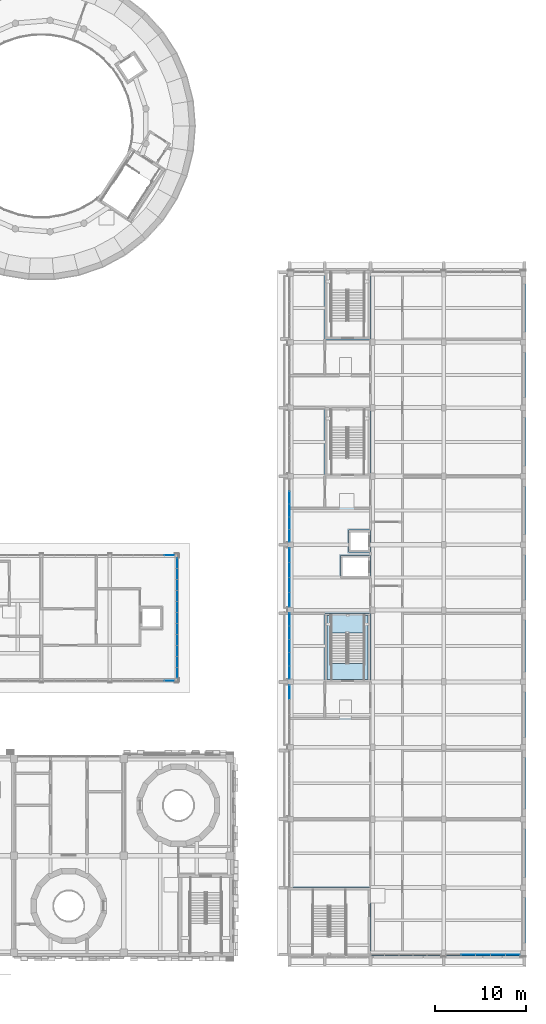
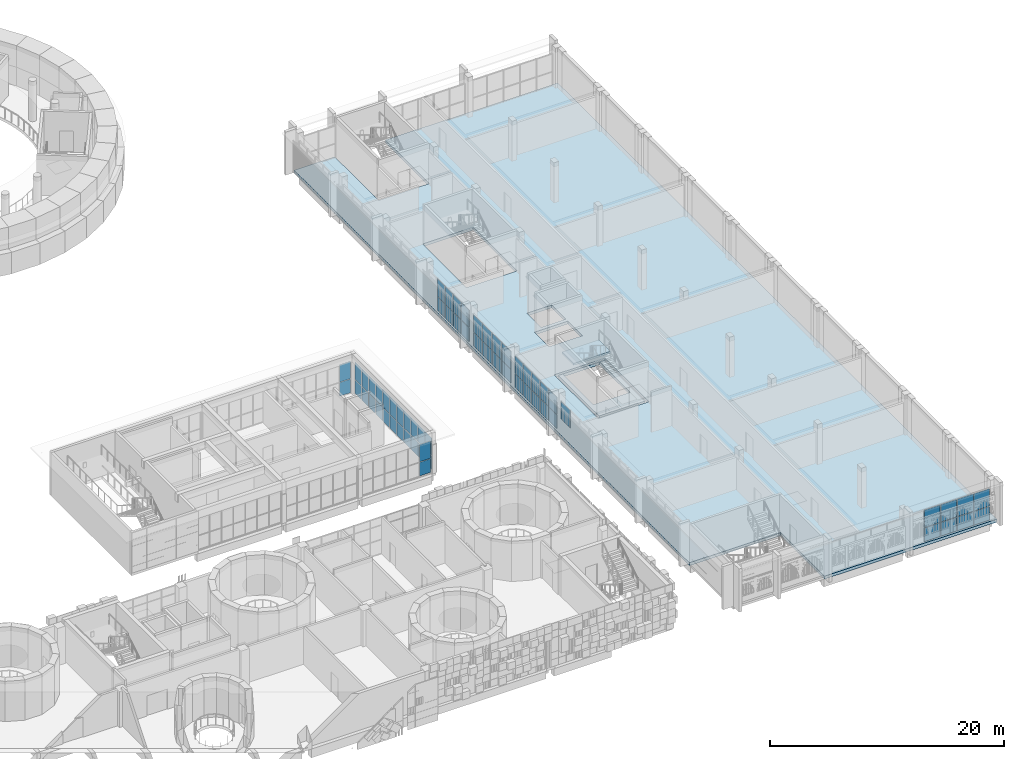
# One storey, part 43 of 92: 61 plates, 3 slabs, 9 elements without a shape of their own.
"""IFC4 building model written with IfcOpenShell, lengths in metres."""

from ifc_helpers import new_model, si_unit, direction, frame, origin, origin_2d, place, context, subcontext, project, spatial, polyline, rectangle, outline, extrude, material, layer, layer_set, type_object, element, aggregate, save


model = new_model("IFC4")

# Units and contexts
model_context = context("Model", 3, precision=1e-05, world=origin(), true_north=direction((0.0, 1.0)))
body_context = subcontext(model_context, "Body", "Model", "MODEL_VIEW")
ifc_project = project(units=[si_unit("LENGTHUNIT", "METRE"), si_unit("AREAUNIT", "SQUARE_METRE"), si_unit("VOLUMEUNIT", "CUBIC_METRE"), si_unit("PLANEANGLEUNIT", "RADIAN"), si_unit("MASSUNIT", "GRAM", prefix="KILO")], contexts=[model_context])

# Site, building, storey
site_placement = place(None, origin())
site = spatial("IfcSite", under=ifc_project, at=site_placement, CompositionType="ELEMENT")
building_placement = place(site_placement, origin())
building = spatial("IfcBuilding", under=site, at=building_placement, Name="Sun Court Science Centre", CompositionType="ELEMENT")
storey_placement = place(building_placement, frame((0.0, 0.0, 11.25)))
storey = spatial("IfcBuildingStorey", under=building, at=storey_placement, Name="L02", CompositionType="ELEMENT", Elevation=11.25)

# Curtain wall, plates
ifc_material_1 = material(Name="Aluminium EN AW-6063 T6", Category="aluminium")
curtain_wall_type_1 = type_object("IfcCurtainWallType", Name="Pavilion curtain wall 1200", PredefinedType="NOTDEFINED", material=ifc_material_1)
curtain_wall_1_placement = place(storey_placement, origin())
curtain_wall_1 = element("IfcCurtainWall", 1, at=curtain_wall_1_placement, inside=storey, type_object=curtain_wall_type_1, Name="Curtain wall V5 S L02 01", PredefinedType="NOTDEFINED")
ifc_material_2 = material(Name="Toughened safety glass", Category="glass")
ifc_layer_1 = layer(ifc_material_2, 0.0107421875)
ifc_layer_set_1 = layer_set([ifc_layer_1], Name="Toughened safety glass")
plate_type_1 = type_object("IfcPlateType", Name="Pavilion toughened glazing panel 10.8", PredefinedType="CURTAIN_PANEL", material=ifc_layer_set_1)
plate_1_placement = place(storey_placement, frame((65.012451171875, 36.14990234375, 0.0498046875), z_axis=(0.0, 0.0, 1.0), x_axis=(-1.0, 0.0, 0.0)))
plate_1 = element("IfcPlate", 2, at=plate_1_placement, type_object=plate_type_1, Name="CW3-08 panel 1.1", PredefinedType="CURTAIN_PANEL", context=body_context, shape_type="SweptSolid", body=[
    extrude(rectangle(XDim=1.074951171875, YDim=0.0107421875, at=origin_2d()), origin(), (0.0, 0.0, 1.0), 1.425048828125),
])
plate_2_placement = place(storey_placement, frame((65.012451171875, 36.14990234375, 1.52490234375), z_axis=(0.0, 0.0, 1.0), x_axis=(-1.0, 0.0, 0.0)))
plate_2 = element("IfcPlate", 3, at=plate_2_placement, type_object=plate_type_1, Name="CW3-08 panel 1.2", PredefinedType="CURTAIN_PANEL", context=body_context, shape_type="SweptSolid", body=[
    extrude(rectangle(XDim=1.074951171875, YDim=0.0107421875, at=origin_2d()), origin(), (0.0, 0.0, 1.0), 1.824951171875),
])
aggregate(curtain_wall_1, [plate_1, plate_2])

curtain_wall_2_placement = place(storey_placement, origin())
curtain_wall_2 = element("IfcCurtainWall", 4, at=curtain_wall_2_placement, inside=storey, type_object=curtain_wall_type_1, Name="Curtain wall V5 N L02 03", PredefinedType="NOTDEFINED")
plate_3_placement = place(storey_placement, frame((65.012451171875, 49.85009765625, 0.0498046875), z_axis=(0.0, 0.0, 1.0), x_axis=(1.0, 0.0, 0.0)))
plate_3 = element("IfcPlate", 5, at=plate_3_placement, type_object=plate_type_1, Name="CW3-19 panel 6.1", PredefinedType="CURTAIN_PANEL", context=body_context, shape_type="SweptSolid", body=[
    extrude(rectangle(XDim=1.074951171875, YDim=0.0107421875, at=origin_2d()), origin(), (0.0, 0.0, 1.0), 1.425048828125),
])
plate_4_placement = place(storey_placement, frame((65.012451171875, 49.85009765625, 1.52490234375), z_axis=(0.0, 0.0, 1.0), x_axis=(1.0, 0.0, 0.0)))
plate_4 = element("IfcPlate", 6, at=plate_4_placement, type_object=plate_type_1, Name="CW3-19 panel 6.2", PredefinedType="CURTAIN_PANEL", context=body_context, shape_type="SweptSolid", body=[
    extrude(rectangle(XDim=1.074951171875, YDim=0.0107421875, at=origin_2d()), origin(), (0.0, 0.0, 1.0), 1.824951171875),
])
aggregate(curtain_wall_2, [plate_3, plate_4])

curtain_wall_3_placement = place(storey_placement, origin())
curtain_wall_3 = element("IfcCurtainWall", 7, at=curtain_wall_3_placement, inside=storey, type_object=curtain_wall_type_1, Name="Curtain wall V5 E L02 01", PredefinedType="NOTDEFINED")
plate_5_placement = place(storey_placement, frame((65.85009765625, 37.012451171875, 0.0498046875), z_axis=(0.0, 0.0, 1.0), x_axis=(0.0, -1.0, 0.0)))
plate_5 = element("IfcPlate", 8, at=plate_5_placement, type_object=plate_type_1, Name="CW3-22 panel 11.1", PredefinedType="CURTAIN_PANEL", context=body_context, shape_type="SweptSolid", body=[
    extrude(rectangle(XDim=1.125, YDim=0.0107421875, at=origin_2d()), origin(), (0.0, 0.0, 1.0), 1.425048828125),
])
plate_6_placement = place(storey_placement, frame((65.85009765625, 38.199951171875, 0.0498046875), z_axis=(0.0, 0.0, 1.0), x_axis=(0.0, -1.0, 0.0)))
plate_6 = element("IfcPlate", 9, at=plate_6_placement, type_object=plate_type_1, Name="CW3-22 panel 10.1", PredefinedType="CURTAIN_PANEL", context=body_context, shape_type="SweptSolid", body=[
    extrude(rectangle(XDim=1.14990234375, YDim=0.0107421875, at=origin_2d()), origin(), (0.0, 0.0, 1.0), 1.425048828125),
])
plate_7_placement = place(storey_placement, frame((65.85009765625, 39.39990234375, 0.0498046875), z_axis=(0.0, 0.0, 1.0), x_axis=(0.0, -1.0, 0.0)))
plate_7 = element("IfcPlate", 10, at=plate_7_placement, type_object=plate_type_1, Name="CW3-22 panel 9.1", PredefinedType="CURTAIN_PANEL", context=body_context, shape_type="SweptSolid", body=[
    extrude(rectangle(XDim=1.14990234375, YDim=0.0107421875, at=origin_2d()), origin(), (0.0, 0.0, 1.0), 1.425048828125),
])
plate_8_placement = place(storey_placement, frame((65.85009765625, 40.60009765625, 0.0498046875), z_axis=(0.0, 0.0, 1.0), x_axis=(0.0, -1.0, 0.0)))
plate_8 = element("IfcPlate", 11, at=plate_8_placement, type_object=plate_type_1, Name="CW3-22 panel 8.1", PredefinedType="CURTAIN_PANEL", context=body_context, shape_type="SweptSolid", body=[
    extrude(rectangle(XDim=1.14990234375, YDim=0.0107421875, at=origin_2d()), origin(), (0.0, 0.0, 1.0), 1.425048828125),
])
plate_9_placement = place(storey_placement, frame((65.85009765625, 41.800048828125, 0.0498046875), z_axis=(0.0, 0.0, 1.0), x_axis=(0.0, -1.0, 0.0)))
plate_9 = element("IfcPlate", 12, at=plate_9_placement, type_object=plate_type_1, Name="CW3-22 panel 7.1", PredefinedType="CURTAIN_PANEL", context=body_context, shape_type="SweptSolid", body=[
    extrude(rectangle(XDim=1.14990234375, YDim=0.0107421875, at=origin_2d()), origin(), (0.0, 0.0, 1.0), 1.425048828125),
])
plate_10_placement = place(storey_placement, frame((65.85009765625, 43.0, 0.0498046875), z_axis=(0.0, 0.0, 1.0), x_axis=(0.0, -1.0, 0.0)))
plate_10 = element("IfcPlate", 13, at=plate_10_placement, type_object=plate_type_1, Name="CW3-22 panel 6.1", PredefinedType="CURTAIN_PANEL", context=body_context, shape_type="SweptSolid", body=[
    extrude(rectangle(XDim=1.14990234375, YDim=0.0107421875, at=origin_2d()), origin(), (0.0, 0.0, 1.0), 1.425048828125),
])
plate_11_placement = place(storey_placement, frame((65.85009765625, 44.199951171875, 0.0498046875), z_axis=(0.0, 0.0, 1.0), x_axis=(0.0, -1.0, 0.0)))
plate_11 = element("IfcPlate", 14, at=plate_11_placement, type_object=plate_type_1, Name="CW3-22 panel 5.1", PredefinedType="CURTAIN_PANEL", context=body_context, shape_type="SweptSolid", body=[
    extrude(rectangle(XDim=1.14990234375, YDim=0.0107421875, at=origin_2d()), origin(), (0.0, 0.0, 1.0), 1.425048828125),
])
plate_12_placement = place(storey_placement, frame((65.85009765625, 45.39990234375, 0.0498046875), z_axis=(0.0, 0.0, 1.0), x_axis=(0.0, -1.0, 0.0)))
plate_12 = element("IfcPlate", 15, at=plate_12_placement, type_object=plate_type_1, Name="CW3-22 panel 4.1", PredefinedType="CURTAIN_PANEL", context=body_context, shape_type="SweptSolid", body=[
    extrude(rectangle(XDim=1.14990234375, YDim=0.0107421875, at=origin_2d()), origin(), (0.0, 0.0, 1.0), 1.425048828125),
])
plate_13_placement = place(storey_placement, frame((65.85009765625, 46.60009765625, 0.0498046875), z_axis=(0.0, 0.0, 1.0), x_axis=(0.0, -1.0, 0.0)))
plate_13 = element("IfcPlate", 16, at=plate_13_placement, type_object=plate_type_1, Name="CW3-22 panel 3.1", PredefinedType="CURTAIN_PANEL", context=body_context, shape_type="SweptSolid", body=[
    extrude(rectangle(XDim=1.14990234375, YDim=0.0107421875, at=origin_2d()), origin(), (0.0, 0.0, 1.0), 1.425048828125),
])
plate_14_placement = place(storey_placement, frame((65.85009765625, 47.800048828125, 0.0498046875), z_axis=(0.0, 0.0, 1.0), x_axis=(0.0, -1.0, 0.0)))
plate_14 = element("IfcPlate", 17, at=plate_14_placement, type_object=plate_type_1, Name="CW3-22 panel 2.1", PredefinedType="CURTAIN_PANEL", context=body_context, shape_type="SweptSolid", body=[
    extrude(rectangle(XDim=1.14990234375, YDim=0.0107421875, at=origin_2d()), origin(), (0.0, 0.0, 1.0), 1.425048828125),
])
plate_15_placement = place(storey_placement, frame((65.85009765625, 48.987548828125, 0.0498046875), z_axis=(0.0, 0.0, 1.0), x_axis=(0.0, -1.0, 0.0)))
plate_15 = element("IfcPlate", 18, at=plate_15_placement, type_object=plate_type_1, Name="CW3-22 panel 1.1", PredefinedType="CURTAIN_PANEL", context=body_context, shape_type="SweptSolid", body=[
    extrude(rectangle(XDim=1.125, YDim=0.0107421875, at=origin_2d()), origin(), (0.0, 0.0, 1.0), 1.425048828125),
])
plate_16_placement = place(storey_placement, frame((65.85009765625, 37.012451171875, 1.52490234375), z_axis=(0.0, 0.0, 1.0), x_axis=(0.0, -1.0, 0.0)))
plate_16 = element("IfcPlate", 19, at=plate_16_placement, type_object=plate_type_1, Name="CW3-22 panel 11.2", PredefinedType="CURTAIN_PANEL", context=body_context, shape_type="SweptSolid", body=[
    extrude(rectangle(XDim=1.125, YDim=0.0107421875, at=origin_2d()), origin(), (0.0, 0.0, 1.0), 1.824951171875),
])
plate_17_placement = place(storey_placement, frame((65.85009765625, 38.199951171875, 1.52490234375), z_axis=(0.0, 0.0, 1.0), x_axis=(0.0, -1.0, 0.0)))
plate_17 = element("IfcPlate", 20, at=plate_17_placement, type_object=plate_type_1, Name="CW3-22 panel 10.2", PredefinedType="CURTAIN_PANEL", context=body_context, shape_type="SweptSolid", body=[
    extrude(rectangle(XDim=1.14990234375, YDim=0.0107421875, at=origin_2d()), origin(), (0.0, 0.0, 1.0), 1.824951171875),
])
plate_18_placement = place(storey_placement, frame((65.85009765625, 39.39990234375, 1.52490234375), z_axis=(0.0, 0.0, 1.0), x_axis=(0.0, -1.0, 0.0)))
plate_18 = element("IfcPlate", 21, at=plate_18_placement, type_object=plate_type_1, Name="CW3-22 panel 9.2", PredefinedType="CURTAIN_PANEL", context=body_context, shape_type="SweptSolid", body=[
    extrude(rectangle(XDim=1.14990234375, YDim=0.0107421875, at=origin_2d()), origin(), (0.0, 0.0, 1.0), 1.824951171875),
])
plate_19_placement = place(storey_placement, frame((65.85009765625, 40.60009765625, 1.52490234375), z_axis=(0.0, 0.0, 1.0), x_axis=(0.0, -1.0, 0.0)))
plate_19 = element("IfcPlate", 22, at=plate_19_placement, type_object=plate_type_1, Name="CW3-22 panel 8.2", PredefinedType="CURTAIN_PANEL", context=body_context, shape_type="SweptSolid", body=[
    extrude(rectangle(XDim=1.14990234375, YDim=0.0107421875, at=origin_2d()), origin(), (0.0, 0.0, 1.0), 1.824951171875),
])
plate_20_placement = place(storey_placement, frame((65.85009765625, 41.800048828125, 1.52490234375), z_axis=(0.0, 0.0, 1.0), x_axis=(0.0, -1.0, 0.0)))
plate_20 = element("IfcPlate", 23, at=plate_20_placement, type_object=plate_type_1, Name="CW3-22 panel 7.2", PredefinedType="CURTAIN_PANEL", context=body_context, shape_type="SweptSolid", body=[
    extrude(rectangle(XDim=1.14990234375, YDim=0.0107421875, at=origin_2d()), origin(), (0.0, 0.0, 1.0), 1.824951171875),
])
plate_21_placement = place(storey_placement, frame((65.85009765625, 43.0, 1.52490234375), z_axis=(0.0, 0.0, 1.0), x_axis=(0.0, -1.0, 0.0)))
plate_21 = element("IfcPlate", 24, at=plate_21_placement, type_object=plate_type_1, Name="CW3-22 panel 6.2", PredefinedType="CURTAIN_PANEL", context=body_context, shape_type="SweptSolid", body=[
    extrude(rectangle(XDim=1.14990234375, YDim=0.0107421875, at=origin_2d()), origin(), (0.0, 0.0, 1.0), 1.824951171875),
])
plate_22_placement = place(storey_placement, frame((65.85009765625, 44.199951171875, 1.52490234375), z_axis=(0.0, 0.0, 1.0), x_axis=(0.0, -1.0, 0.0)))
plate_22 = element("IfcPlate", 25, at=plate_22_placement, type_object=plate_type_1, Name="CW3-22 panel 5.2", PredefinedType="CURTAIN_PANEL", context=body_context, shape_type="SweptSolid", body=[
    extrude(rectangle(XDim=1.14990234375, YDim=0.0107421875, at=origin_2d()), origin(), (0.0, 0.0, 1.0), 1.824951171875),
])
plate_23_placement = place(storey_placement, frame((65.85009765625, 45.39990234375, 1.52490234375), z_axis=(0.0, 0.0, 1.0), x_axis=(0.0, -1.0, 0.0)))
plate_23 = element("IfcPlate", 26, at=plate_23_placement, type_object=plate_type_1, Name="CW3-22 panel 4.2", PredefinedType="CURTAIN_PANEL", context=body_context, shape_type="SweptSolid", body=[
    extrude(rectangle(XDim=1.14990234375, YDim=0.0107421875, at=origin_2d()), origin(), (0.0, 0.0, 1.0), 1.824951171875),
])
plate_24_placement = place(storey_placement, frame((65.85009765625, 46.60009765625, 1.52490234375), z_axis=(0.0, 0.0, 1.0), x_axis=(0.0, -1.0, 0.0)))
plate_24 = element("IfcPlate", 27, at=plate_24_placement, type_object=plate_type_1, Name="CW3-22 panel 3.2", PredefinedType="CURTAIN_PANEL", context=body_context, shape_type="SweptSolid", body=[
    extrude(rectangle(XDim=1.14990234375, YDim=0.0107421875, at=origin_2d()), origin(), (0.0, 0.0, 1.0), 1.824951171875),
])
plate_25_placement = place(storey_placement, frame((65.85009765625, 47.800048828125, 1.52490234375), z_axis=(0.0, 0.0, 1.0), x_axis=(0.0, -1.0, 0.0)))
plate_25 = element("IfcPlate", 28, at=plate_25_placement, type_object=plate_type_1, Name="CW3-22 panel 2.2", PredefinedType="CURTAIN_PANEL", context=body_context, shape_type="SweptSolid", body=[
    extrude(rectangle(XDim=1.14990234375, YDim=0.0107421875, at=origin_2d()), origin(), (0.0, 0.0, 1.0), 1.824951171875),
])
plate_26_placement = place(storey_placement, frame((65.85009765625, 48.987548828125, 1.52490234375), z_axis=(0.0, 0.0, 1.0), x_axis=(0.0, -1.0, 0.0)))
plate_26 = element("IfcPlate", 29, at=plate_26_placement, type_object=plate_type_1, Name="CW3-22 panel 1.2", PredefinedType="CURTAIN_PANEL", context=body_context, shape_type="SweptSolid", body=[
    extrude(rectangle(XDim=1.125, YDim=0.0107421875, at=origin_2d()), origin(), (0.0, 0.0, 1.0), 1.824951171875),
])
aggregate(curtain_wall_3, [plate_5, plate_6, plate_7, plate_8, plate_9, plate_10, plate_11, plate_12, plate_13, plate_14, plate_15, plate_16, plate_17, plate_18, plate_19, plate_20, plate_21, plate_22, plate_23, plate_24, plate_25, plate_26])

# Slabs
ifc_material_3 = material(Name="Concrete C25/30", Category="concrete")
ifc_layer_2 = layer(ifc_material_3, 0.300048828125)
ifc_layer_set_2 = layer_set([ifc_layer_2], Name="Concrete C25/30")
slab_type_1 = type_object("IfcSlabType", Name="RC floor slab 300", PredefinedType="FLOOR", material=ifc_layer_set_2)
slab_1_placement = place(storey_placement, frame((0.0, 0.0, -0.300048828125)))
element("IfcSlab", 30, at=slab_1_placement, inside=storey, type_object=slab_type_1, Name="Floor slab L02", PredefinedType="FLOOR", context=body_context, shape_type="SweptSolid", body=[
    extrude(outline(polyline([(104.0, 6.0), (104.0, 81.0), (87.0, 81.0), (87.0, 73.5), (82.0, 73.5), (82.0, 81.0), (78.0, 81.0), (78.0, 13.5), (87.0, 13.5), (87.0, 6.0), (104.0, 6.0)]), holes=[polyline([(84.577392578125, 50.1875), (84.577392578125, 52.612548828125), (87.00244140625, 52.612548828125), (87.00244140625, 50.1875), (84.577392578125, 50.1875)]), polyline([(82.0, 43.5), (87.0, 43.5), (87.0, 36.0), (82.0, 36.0), (82.0, 43.5)]), polyline([(82.0, 66.0), (87.0, 66.0), (87.0, 58.5), (82.0, 58.5), (82.0, 66.0)]), polyline([(83.699951171875, 49.85009765625), (87.0, 49.85009765625), (87.0, 47.35009765625), (83.699951171875, 47.35009765625), (83.699951171875, 49.85009765625)])]), origin(), (0.0, 0.0, 1.0), 0.300048828125),
])
slab_2_placement = place(storey_placement, frame((0.0, 0.0, -0.300048828125)))
element("IfcSlab", 31, at=slab_2_placement, inside=storey, type_object=slab_type_1, Name="Stair SL2 landing slab L02", PredefinedType="FLOOR", context=body_context, shape_type="SweptSolid", body=[
    extrude(outline(polyline([(82.25, 43.25), (82.25, 36.25), (86.75, 36.25), (86.75, 43.25), (82.25, 43.25)]), holes=[polyline([(86.322998046875, 43.2451171875), (86.322998046875, 38.0029296875), (82.677001953125, 38.0029296875), (82.677001953125, 43.2451171875), (86.322998046875, 43.2451171875)])]), origin(), (0.0, 0.0, 1.0), 0.300048828125),
])

# Curtain wall, plate
ifc_material_4 = material(Name="Aluminium EN AW-6063 T6", Category="aluminium")
curtain_wall_type_2 = type_object("IfcCurtainWallType", Name="Laboratory tall bay curtain wall 1500", PredefinedType="NOTDEFINED", material=ifc_material_4)
curtain_wall_4_placement = place(storey_placement, origin())
curtain_wall_4 = element("IfcCurtainWall", 32, at=curtain_wall_4_placement, inside=storey, type_object=curtain_wall_type_2, Name="Curtain wall V4 W L02 03", PredefinedType="NOTDEFINED")
ifc_material_5 = material(Name="Solar-control glass", Category="glass")
ifc_layer_3 = layer(ifc_material_5, 0.028076171875)
ifc_layer_set_3 = layer_set([ifc_layer_3], Name="Solar-control glass")
plate_type_2 = type_object("IfcPlateType", Name="Solar-control glazing panel 8-12-8", PredefinedType="CURTAIN_PANEL", material=ifc_layer_set_3)
plate_27_placement = place(storey_placement, frame((78.14990234375, 34.8662109375, 1.530029296875), z_axis=(0.0, 0.0, 1.0), x_axis=(0.0, 1.0, 0.0)))
plate_27 = element("IfcPlate", 33, at=plate_27_placement, type_object=plate_type_2, Name="CW2-21 panel 4.2", PredefinedType="CURTAIN_PANEL", context=body_context, shape_type="SweptSolid", body=[
    extrude(rectangle(XDim=1.547607421875, YDim=0.028076171875, at=origin_2d()), origin(), (0.0, 0.0, 1.0), 1.81005859375),
])
aggregate(curtain_wall_4, [plate_27])

# Curtain wall, plates
curtain_wall_5_placement = place(storey_placement, origin())
curtain_wall_5 = element("IfcCurtainWall", 34, at=curtain_wall_5_placement, inside=storey, type_object=curtain_wall_type_2, Name="Curtain wall V4 W L02 04", PredefinedType="NOTDEFINED")
plate_28_placement = place(storey_placement, frame((78.14990234375, 37.0400390625, 0.06005859375), z_axis=(0.0, 0.0, 1.0), x_axis=(0.0, 1.0, 0.0)))
plate_28 = element("IfcPlate", 35, at=plate_28_placement, type_object=plate_type_2, Name="CW2-22 panel 1.1", PredefinedType="CURTAIN_PANEL", context=body_context, shape_type="SweptSolid", body=[
    extrude(rectangle(XDim=1.360107421875, YDim=0.028076171875, at=origin_2d()), origin(), (0.0, 0.0, 1.0), 1.409912109375),
])
plate_29_placement = place(storey_placement, frame((78.14990234375, 38.47509765625, 0.06005859375), z_axis=(0.0, 0.0, 1.0), x_axis=(0.0, 1.0, 0.0)))
plate_29 = element("IfcPlate", 36, at=plate_29_placement, type_object=plate_type_2, Name="CW2-22 panel 2.1", PredefinedType="CURTAIN_PANEL", context=body_context, shape_type="SweptSolid", body=[
    extrude(rectangle(XDim=1.389892578125, YDim=0.028076171875, at=origin_2d()), origin(), (0.0, 0.0, 1.0), 1.409912109375),
])
plate_30_placement = place(storey_placement, frame((78.14990234375, 39.925048828125, 0.06005859375), z_axis=(0.0, 0.0, 1.0), x_axis=(0.0, 1.0, 0.0)))
plate_30 = element("IfcPlate", 37, at=plate_30_placement, type_object=plate_type_2, Name="CW2-22 panel 3.1", PredefinedType="CURTAIN_PANEL", context=body_context, shape_type="SweptSolid", body=[
    extrude(rectangle(XDim=1.389892578125, YDim=0.028076171875, at=origin_2d()), origin(), (0.0, 0.0, 1.0), 1.409912109375),
])
plate_31_placement = place(storey_placement, frame((78.14990234375, 41.375, 0.06005859375), z_axis=(0.0, 0.0, 1.0), x_axis=(0.0, 1.0, 0.0)))
plate_31 = element("IfcPlate", 38, at=plate_31_placement, type_object=plate_type_2, Name="CW2-22 panel 4.1", PredefinedType="CURTAIN_PANEL", context=body_context, shape_type="SweptSolid", body=[
    extrude(rectangle(XDim=1.389892578125, YDim=0.028076171875, at=origin_2d()), origin(), (0.0, 0.0, 1.0), 1.409912109375),
])
plate_32_placement = place(storey_placement, frame((78.14990234375, 42.81005859375, 0.06005859375), z_axis=(0.0, 0.0, 1.0), x_axis=(0.0, 1.0, 0.0)))
plate_32 = element("IfcPlate", 39, at=plate_32_placement, type_object=plate_type_2, Name="CW2-22 panel 5.1", PredefinedType="CURTAIN_PANEL", context=body_context, shape_type="SweptSolid", body=[
    extrude(rectangle(XDim=1.360107421875, YDim=0.028076171875, at=origin_2d()), origin(), (0.0, 0.0, 1.0), 1.409912109375),
])
plate_33_placement = place(storey_placement, frame((78.14990234375, 37.0400390625, 1.530029296875), z_axis=(0.0, 0.0, 1.0), x_axis=(0.0, 1.0, 0.0)))
plate_33 = element("IfcPlate", 40, at=plate_33_placement, type_object=plate_type_2, Name="CW2-22 panel 1.2", PredefinedType="CURTAIN_PANEL", context=body_context, shape_type="SweptSolid", body=[
    extrude(rectangle(XDim=1.360107421875, YDim=0.028076171875, at=origin_2d()), origin(), (0.0, 0.0, 1.0), 1.81005859375),
])
plate_34_placement = place(storey_placement, frame((78.14990234375, 38.47509765625, 1.530029296875), z_axis=(0.0, 0.0, 1.0), x_axis=(0.0, 1.0, 0.0)))
plate_34 = element("IfcPlate", 41, at=plate_34_placement, type_object=plate_type_2, Name="CW2-22 panel 2.2", PredefinedType="CURTAIN_PANEL", context=body_context, shape_type="SweptSolid", body=[
    extrude(rectangle(XDim=1.389892578125, YDim=0.028076171875, at=origin_2d()), origin(), (0.0, 0.0, 1.0), 1.81005859375),
])
plate_35_placement = place(storey_placement, frame((78.14990234375, 39.925048828125, 1.530029296875), z_axis=(0.0, 0.0, 1.0), x_axis=(0.0, 1.0, 0.0)))
plate_35 = element("IfcPlate", 42, at=plate_35_placement, type_object=plate_type_2, Name="CW2-22 panel 3.2", PredefinedType="CURTAIN_PANEL", context=body_context, shape_type="SweptSolid", body=[
    extrude(rectangle(XDim=1.389892578125, YDim=0.028076171875, at=origin_2d()), origin(), (0.0, 0.0, 1.0), 1.81005859375),
])
plate_36_placement = place(storey_placement, frame((78.14990234375, 41.375, 1.530029296875), z_axis=(0.0, 0.0, 1.0), x_axis=(0.0, 1.0, 0.0)))
plate_36 = element("IfcPlate", 43, at=plate_36_placement, type_object=plate_type_2, Name="CW2-22 panel 4.2", PredefinedType="CURTAIN_PANEL", context=body_context, shape_type="SweptSolid", body=[
    extrude(rectangle(XDim=1.389892578125, YDim=0.028076171875, at=origin_2d()), origin(), (0.0, 0.0, 1.0), 1.81005859375),
])
plate_37_placement = place(storey_placement, frame((78.14990234375, 42.81005859375, 1.530029296875), z_axis=(0.0, 0.0, 1.0), x_axis=(0.0, 1.0, 0.0)))
plate_37 = element("IfcPlate", 44, at=plate_37_placement, type_object=plate_type_2, Name="CW2-22 panel 5.2", PredefinedType="CURTAIN_PANEL", context=body_context, shape_type="SweptSolid", body=[
    extrude(rectangle(XDim=1.360107421875, YDim=0.028076171875, at=origin_2d()), origin(), (0.0, 0.0, 1.0), 1.81005859375),
])
aggregate(curtain_wall_5, [plate_28, plate_29, plate_30, plate_31, plate_32, plate_33, plate_34, plate_35, plate_36, plate_37])

curtain_wall_6_placement = place(storey_placement, origin())
curtain_wall_6 = element("IfcCurtainWall", 45, at=curtain_wall_6_placement, inside=storey, type_object=curtain_wall_type_2, Name="Curtain wall V4 W L02 05", PredefinedType="NOTDEFINED")
plate_38_placement = place(storey_placement, frame((78.14990234375, 44.983642578125, 0.06005859375), z_axis=(0.0, 0.0, 1.0), x_axis=(0.0, 1.0, 0.0)))
plate_38 = element("IfcPlate", 46, at=plate_38_placement, type_object=plate_type_2, Name="CW2-23 panel 1.1", PredefinedType="CURTAIN_PANEL", context=body_context, shape_type="SweptSolid", body=[
    extrude(rectangle(XDim=1.547607421875, YDim=0.028076171875, at=origin_2d()), origin(), (0.0, 0.0, 1.0), 1.409912109375),
])
plate_39_placement = place(storey_placement, frame((78.14990234375, 46.606201171875, 0.06005859375), z_axis=(0.0, 0.0, 1.0), x_axis=(0.0, 1.0, 0.0)))
plate_39 = element("IfcPlate", 47, at=plate_39_placement, type_object=plate_type_2, Name="CW2-23 panel 2.1", PredefinedType="CURTAIN_PANEL", context=body_context, shape_type="SweptSolid", body=[
    extrude(rectangle(XDim=1.577392578125, YDim=0.028076171875, at=origin_2d()), origin(), (0.0, 0.0, 1.0), 1.409912109375),
])
plate_40_placement = place(storey_placement, frame((78.14990234375, 48.24365234375, 0.06005859375), z_axis=(0.0, 0.0, 1.0), x_axis=(0.0, 1.0, 0.0)))
plate_40 = element("IfcPlate", 48, at=plate_40_placement, type_object=plate_type_2, Name="CW2-23 panel 3.1", PredefinedType="CURTAIN_PANEL", context=body_context, shape_type="SweptSolid", body=[
    extrude(rectangle(XDim=1.577392578125, YDim=0.028076171875, at=origin_2d()), origin(), (0.0, 0.0, 1.0), 1.409912109375),
])
plate_41_placement = place(storey_placement, frame((78.14990234375, 49.8662109375, 0.06005859375), z_axis=(0.0, 0.0, 1.0), x_axis=(0.0, 1.0, 0.0)))
plate_41 = element("IfcPlate", 49, at=plate_41_placement, type_object=plate_type_2, Name="CW2-23 panel 4.1", PredefinedType="CURTAIN_PANEL", context=body_context, shape_type="SweptSolid", body=[
    extrude(rectangle(XDim=1.547607421875, YDim=0.028076171875, at=origin_2d()), origin(), (0.0, 0.0, 1.0), 1.409912109375),
])
plate_42_placement = place(storey_placement, frame((78.14990234375, 44.983642578125, 1.530029296875), z_axis=(0.0, 0.0, 1.0), x_axis=(0.0, 1.0, 0.0)))
plate_42 = element("IfcPlate", 50, at=plate_42_placement, type_object=plate_type_2, Name="CW2-23 panel 1.2", PredefinedType="CURTAIN_PANEL", context=body_context, shape_type="SweptSolid", body=[
    extrude(rectangle(XDim=1.547607421875, YDim=0.028076171875, at=origin_2d()), origin(), (0.0, 0.0, 1.0), 1.81005859375),
])
plate_43_placement = place(storey_placement, frame((78.14990234375, 46.606201171875, 1.530029296875), z_axis=(0.0, 0.0, 1.0), x_axis=(0.0, 1.0, 0.0)))
plate_43 = element("IfcPlate", 51, at=plate_43_placement, type_object=plate_type_2, Name="CW2-23 panel 2.2", PredefinedType="CURTAIN_PANEL", context=body_context, shape_type="SweptSolid", body=[
    extrude(rectangle(XDim=1.577392578125, YDim=0.028076171875, at=origin_2d()), origin(), (0.0, 0.0, 1.0), 1.81005859375),
])
plate_44_placement = place(storey_placement, frame((78.14990234375, 48.24365234375, 1.530029296875), z_axis=(0.0, 0.0, 1.0), x_axis=(0.0, 1.0, 0.0)))
plate_44 = element("IfcPlate", 52, at=plate_44_placement, type_object=plate_type_2, Name="CW2-23 panel 3.2", PredefinedType="CURTAIN_PANEL", context=body_context, shape_type="SweptSolid", body=[
    extrude(rectangle(XDim=1.577392578125, YDim=0.028076171875, at=origin_2d()), origin(), (0.0, 0.0, 1.0), 1.81005859375),
])
plate_45_placement = place(storey_placement, frame((78.14990234375, 49.8662109375, 1.530029296875), z_axis=(0.0, 0.0, 1.0), x_axis=(0.0, 1.0, 0.0)))
plate_45 = element("IfcPlate", 53, at=plate_45_placement, type_object=plate_type_2, Name="CW2-23 panel 4.2", PredefinedType="CURTAIN_PANEL", context=body_context, shape_type="SweptSolid", body=[
    extrude(rectangle(XDim=1.547607421875, YDim=0.028076171875, at=origin_2d()), origin(), (0.0, 0.0, 1.0), 1.81005859375),
])
aggregate(curtain_wall_6, [plate_38, plate_39, plate_40, plate_41, plate_42, plate_43, plate_44, plate_45])

curtain_wall_7_placement = place(storey_placement, origin())
curtain_wall_7 = element("IfcCurtainWall", 54, at=curtain_wall_7_placement, inside=storey, type_object=curtain_wall_type_2, Name="Curtain wall V4 W L02 06", PredefinedType="NOTDEFINED")
plate_46_placement = place(storey_placement, frame((78.14990234375, 52.0048828125, 0.06005859375), z_axis=(0.0, 0.0, 1.0), x_axis=(0.0, 1.0, 0.0)))
plate_46 = element("IfcPlate", 55, at=plate_46_placement, type_object=plate_type_2, Name="CW2-24 panel 1.1", PredefinedType="CURTAIN_PANEL", context=body_context, shape_type="SweptSolid", body=[
    extrude(rectangle(XDim=1.2900390625, YDim=0.028076171875, at=origin_2d()), origin(), (0.0, 0.0, 1.0), 1.409912109375),
])
plate_47_placement = place(storey_placement, frame((78.14990234375, 53.3701171875, 0.06005859375), z_axis=(0.0, 0.0, 1.0), x_axis=(0.0, 1.0, 0.0)))
plate_47 = element("IfcPlate", 56, at=plate_47_placement, type_object=plate_type_2, Name="CW2-24 panel 2.1", PredefinedType="CURTAIN_PANEL", context=body_context, shape_type="SweptSolid", body=[
    extrude(rectangle(XDim=1.320068359375, YDim=0.028076171875, at=origin_2d()), origin(), (0.0, 0.0, 1.0), 1.409912109375),
])
plate_48_placement = place(storey_placement, frame((78.14990234375, 54.75, 0.06005859375), z_axis=(0.0, 0.0, 1.0), x_axis=(0.0, 1.0, 0.0)))
plate_48 = element("IfcPlate", 57, at=plate_48_placement, type_object=plate_type_2, Name="CW2-24 panel 3.1", PredefinedType="CURTAIN_PANEL", context=body_context, shape_type="SweptSolid", body=[
    extrude(rectangle(XDim=1.320068359375, YDim=0.028076171875, at=origin_2d()), origin(), (0.0, 0.0, 1.0), 1.409912109375),
])
plate_49_placement = place(storey_placement, frame((78.14990234375, 56.1298828125, 0.06005859375), z_axis=(0.0, 0.0, 1.0), x_axis=(0.0, 1.0, 0.0)))
plate_49 = element("IfcPlate", 58, at=plate_49_placement, type_object=plate_type_2, Name="CW2-24 panel 4.1", PredefinedType="CURTAIN_PANEL", context=body_context, shape_type="SweptSolid", body=[
    extrude(rectangle(XDim=1.320068359375, YDim=0.028076171875, at=origin_2d()), origin(), (0.0, 0.0, 1.0), 1.409912109375),
])
plate_50_placement = place(storey_placement, frame((78.14990234375, 52.0048828125, 1.530029296875), z_axis=(0.0, 0.0, 1.0), x_axis=(0.0, 1.0, 0.0)))
plate_50 = element("IfcPlate", 59, at=plate_50_placement, type_object=plate_type_2, Name="CW2-24 panel 1.2", PredefinedType="CURTAIN_PANEL", context=body_context, shape_type="SweptSolid", body=[
    extrude(rectangle(XDim=1.2900390625, YDim=0.028076171875, at=origin_2d()), origin(), (0.0, 0.0, 1.0), 1.81005859375),
])
plate_51_placement = place(storey_placement, frame((78.14990234375, 53.3701171875, 1.530029296875), z_axis=(0.0, 0.0, 1.0), x_axis=(0.0, 1.0, 0.0)))
plate_51 = element("IfcPlate", 60, at=plate_51_placement, type_object=plate_type_2, Name="CW2-24 panel 2.2", PredefinedType="CURTAIN_PANEL", context=body_context, shape_type="SweptSolid", body=[
    extrude(rectangle(XDim=1.320068359375, YDim=0.028076171875, at=origin_2d()), origin(), (0.0, 0.0, 1.0), 1.81005859375),
])
plate_52_placement = place(storey_placement, frame((78.14990234375, 54.75, 1.530029296875), z_axis=(0.0, 0.0, 1.0), x_axis=(0.0, 1.0, 0.0)))
plate_52 = element("IfcPlate", 61, at=plate_52_placement, type_object=plate_type_2, Name="CW2-24 panel 3.2", PredefinedType="CURTAIN_PANEL", context=body_context, shape_type="SweptSolid", body=[
    extrude(rectangle(XDim=1.320068359375, YDim=0.028076171875, at=origin_2d()), origin(), (0.0, 0.0, 1.0), 1.81005859375),
])
plate_53_placement = place(storey_placement, frame((78.14990234375, 56.1298828125, 1.530029296875), z_axis=(0.0, 0.0, 1.0), x_axis=(0.0, 1.0, 0.0)))
plate_53 = element("IfcPlate", 62, at=plate_53_placement, type_object=plate_type_2, Name="CW2-24 panel 4.2", PredefinedType="CURTAIN_PANEL", context=body_context, shape_type="SweptSolid", body=[
    extrude(rectangle(XDim=1.320068359375, YDim=0.028076171875, at=origin_2d()), origin(), (0.0, 0.0, 1.0), 1.81005859375),
])
aggregate(curtain_wall_7, [plate_46, plate_47, plate_48, plate_49, plate_50, plate_51, plate_52, plate_53])

curtain_wall_8_placement = place(storey_placement, origin())
curtain_wall_8 = element("IfcCurtainWall", 63, at=curtain_wall_8_placement, inside=storey, type_object=curtain_wall_type_2, Name="Curtain wall V4 S L02 01", PredefinedType="NOTDEFINED")
plate_54_placement = place(storey_placement, frame((97.695068359375, 6.14990234375, 0.06005859375), z_axis=(0.0, 0.0, 1.0), x_axis=(-1.0, 0.0, 0.0)))
plate_54 = element("IfcPlate", 64, at=plate_54_placement, type_object=plate_type_2, Name="CW2-51 panel 4.1", PredefinedType="CURTAIN_PANEL", context=body_context, shape_type="SweptSolid", body=[
    extrude(rectangle(XDim=1.570068359375, YDim=0.028076171875, at=origin_2d()), origin(), (0.0, 0.0, 1.0), 1.409912109375),
])
plate_55_placement = place(storey_placement, frame((99.324951171875, 6.14990234375, 0.06005859375), z_axis=(0.0, 0.0, 1.0), x_axis=(-1.0, 0.0, 0.0)))
plate_55 = element("IfcPlate", 65, at=plate_55_placement, type_object=plate_type_2, Name="CW2-51 panel 3.1", PredefinedType="CURTAIN_PANEL", context=body_context, shape_type="SweptSolid", body=[
    extrude(rectangle(XDim=1.570068359375, YDim=0.028076171875, at=origin_2d()), origin(), (0.0, 0.0, 1.0), 1.409912109375),
])
plate_56_placement = place(storey_placement, frame((100.955078125, 6.14990234375, 0.06005859375), z_axis=(0.0, 0.0, 1.0), x_axis=(-1.0, 0.0, 0.0)))
plate_56 = element("IfcPlate", 66, at=plate_56_placement, type_object=plate_type_2, Name="CW2-51 panel 2.1", PredefinedType="CURTAIN_PANEL", context=body_context, shape_type="SweptSolid", body=[
    extrude(rectangle(XDim=1.570068359375, YDim=0.028076171875, at=origin_2d()), origin(), (0.0, 0.0, 1.0), 1.409912109375),
])
plate_57_placement = place(storey_placement, frame((102.570068359375, 6.14990234375, 0.06005859375), z_axis=(0.0, 0.0, 1.0), x_axis=(-1.0, 0.0, 0.0)))
plate_57 = element("IfcPlate", 67, at=plate_57_placement, type_object=plate_type_2, Name="CW2-51 panel 1.1", PredefinedType="CURTAIN_PANEL", context=body_context, shape_type="SweptSolid", body=[
    extrude(rectangle(XDim=1.5400390625, YDim=0.028076171875, at=origin_2d()), origin(), (0.0, 0.0, 1.0), 1.409912109375),
])
plate_58_placement = place(storey_placement, frame((97.695068359375, 6.14990234375, 1.530029296875), z_axis=(0.0, 0.0, 1.0), x_axis=(-1.0, 0.0, 0.0)))
plate_58 = element("IfcPlate", 68, at=plate_58_placement, type_object=plate_type_2, Name="CW2-51 panel 4.2", PredefinedType="CURTAIN_PANEL", context=body_context, shape_type="SweptSolid", body=[
    extrude(rectangle(XDim=1.570068359375, YDim=0.028076171875, at=origin_2d()), origin(), (0.0, 0.0, 1.0), 1.81005859375),
])
plate_59_placement = place(storey_placement, frame((99.324951171875, 6.14990234375, 1.530029296875), z_axis=(0.0, 0.0, 1.0), x_axis=(-1.0, 0.0, 0.0)))
plate_59 = element("IfcPlate", 69, at=plate_59_placement, type_object=plate_type_2, Name="CW2-51 panel 3.2", PredefinedType="CURTAIN_PANEL", context=body_context, shape_type="SweptSolid", body=[
    extrude(rectangle(XDim=1.570068359375, YDim=0.028076171875, at=origin_2d()), origin(), (0.0, 0.0, 1.0), 1.81005859375),
])
plate_60_placement = place(storey_placement, frame((100.955078125, 6.14990234375, 1.530029296875), z_axis=(0.0, 0.0, 1.0), x_axis=(-1.0, 0.0, 0.0)))
plate_60 = element("IfcPlate", 70, at=plate_60_placement, type_object=plate_type_2, Name="CW2-51 panel 2.2", PredefinedType="CURTAIN_PANEL", context=body_context, shape_type="SweptSolid", body=[
    extrude(rectangle(XDim=1.570068359375, YDim=0.028076171875, at=origin_2d()), origin(), (0.0, 0.0, 1.0), 1.81005859375),
])
plate_61_placement = place(storey_placement, frame((102.570068359375, 6.14990234375, 1.530029296875), z_axis=(0.0, 0.0, 1.0), x_axis=(-1.0, 0.0, 0.0)))
plate_61 = element("IfcPlate", 71, at=plate_61_placement, type_object=plate_type_2, Name="CW2-51 panel 1.2", PredefinedType="CURTAIN_PANEL", context=body_context, shape_type="SweptSolid", body=[
    extrude(rectangle(XDim=1.5400390625, YDim=0.028076171875, at=origin_2d()), origin(), (0.0, 0.0, 1.0), 1.81005859375),
])
aggregate(curtain_wall_8, [plate_54, plate_55, plate_56, plate_57, plate_58, plate_59, plate_60, plate_61])

# Stair, slab
ifc_material_6 = material(Name="Concrete C25/30", Category="concrete")
stair_type = type_object("IfcStairType", Name="Stair 1500 enclosed half-turn", PredefinedType="HALF_TURN_STAIR", material=ifc_material_6)
stair_placement = place(storey_placement, origin())
stair = element("IfcStair", 72, at=stair_placement, inside=storey, type_object=stair_type, Name="L02 Stair SL2", PredefinedType="HALF_TURN_STAIR")
ifc_material_7 = material(Name="Concrete C25/30", Category="concrete")
ifc_layer_4 = layer(ifc_material_7, 0.199951171875)
ifc_layer_set_4 = layer_set([ifc_layer_4], Name="Concrete C25/30")
slab_type_2 = type_object("IfcSlabType", Name="Stair landing 200", PredefinedType="LANDING", material=ifc_layer_set_4)
slab_3_placement = place(storey_placement, frame((0.0, 0.0, 2.050048828125)))
slab_3 = element("IfcSlab", 73, at=slab_3_placement, type_object=slab_type_2, Name="SL2 landing 1", PredefinedType="LANDING", context=body_context, shape_type="SweptSolid", body=[
    extrude(outline(polyline([(86.322998046875, 41.35400390625), (86.322998046875, 43.35009765625), (82.677001953125, 43.35009765625), (82.677001953125, 41.35400390625), (86.322998046875, 41.35400390625)])), origin(), (0.0, 0.0, 1.0), 0.199951171875),
])
aggregate(stair, [slab_3])

save(model, "model.ifc")
